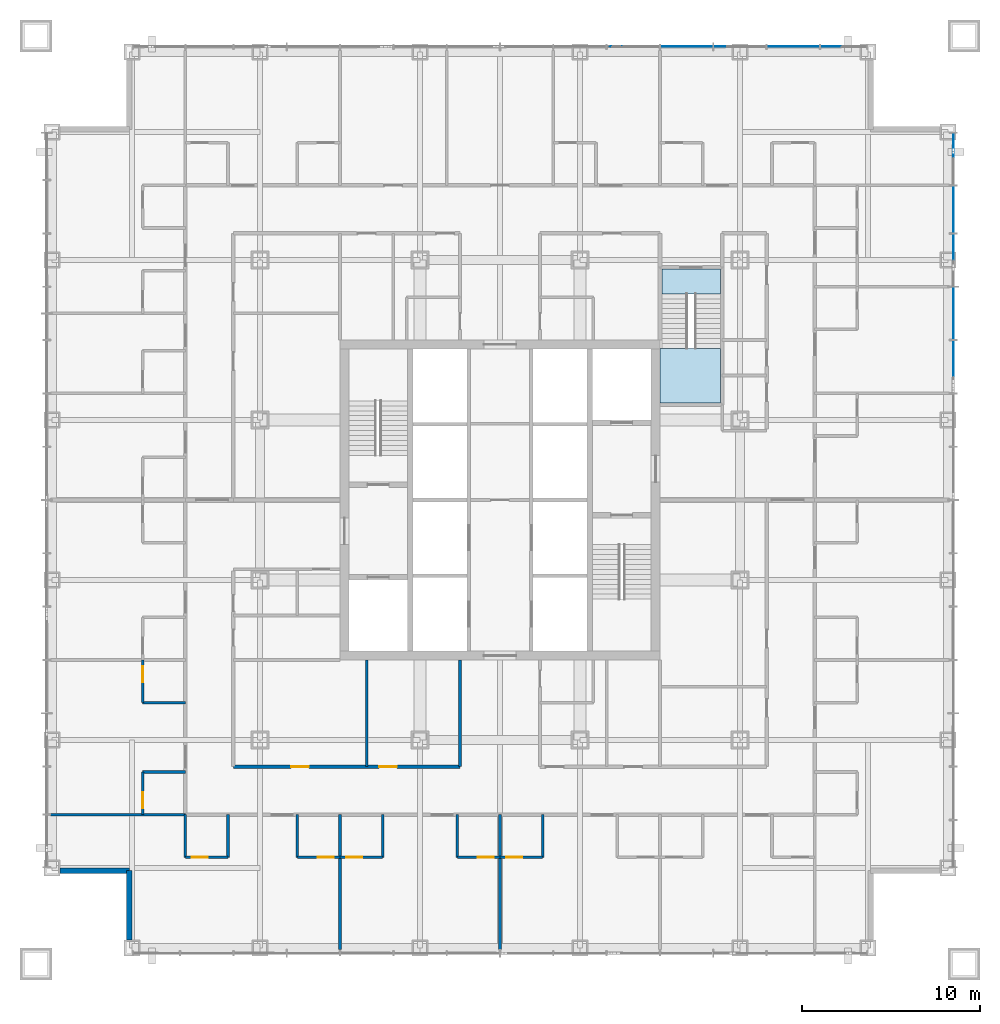
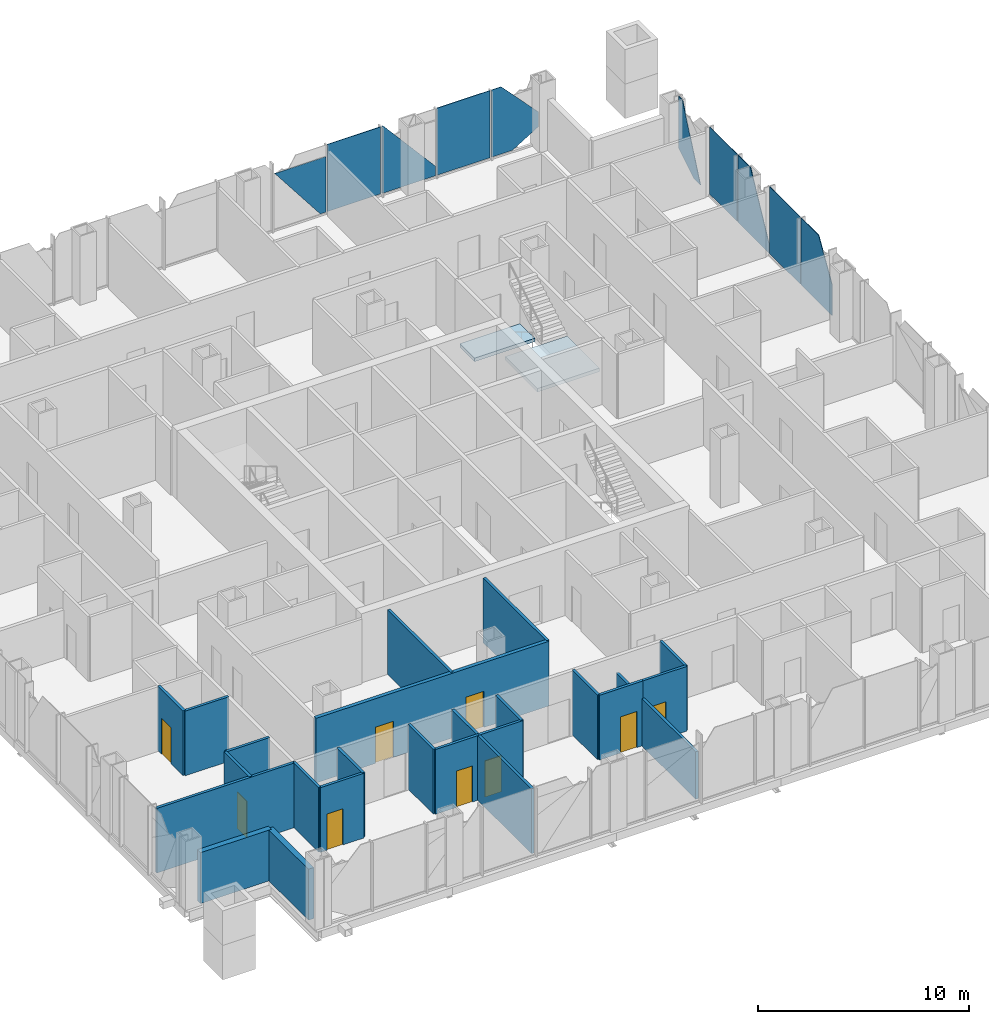
# One storey, part 7 of 23: 23 walls, 10 plates, 9 doors, 2 slabs, 9 openings, 3 elements without a shape of their own.
"""IFC4 building model written with IfcOpenShell, lengths in metres."""

from ifc_helpers import new_model, si_unit, direction, frame, frame_2d, origin, origin_2d, place, context, subcontext, project, spatial, polyline, rectangle, outline, extrude, material, layer, layer_set, type_object, element, fill, aggregate, save


model = new_model("IFC4")

# Units and contexts
model_context = context("Model", 3, precision=1e-05, world=origin(), true_north=direction((0.0, 1.0)))
body_context = subcontext(model_context, "Body", "Model", "MODEL_VIEW")
ifc_project = project(units=[si_unit("LENGTHUNIT", "METRE"), si_unit("AREAUNIT", "SQUARE_METRE"), si_unit("VOLUMEUNIT", "CUBIC_METRE"), si_unit("PLANEANGLEUNIT", "RADIAN"), si_unit("MASSUNIT", "GRAM", prefix="KILO")], contexts=[model_context])

# Site, building, storey
site_placement = place(None, origin())
site = spatial("IfcSite", under=ifc_project, at=site_placement, CompositionType="ELEMENT")
building_placement = place(site_placement, origin())
building = spatial("IfcBuilding", under=site, at=building_placement, Name="Malebo Sky Hospital", CompositionType="ELEMENT")
storey_placement = place(building_placement, frame((0.0, 0.0, 91.0)))
storey = spatial("IfcBuildingStorey", under=building, at=storey_placement, Name="L21", CompositionType="ELEMENT", Elevation=91.0)

# Stair, slabs
ifc_material_1 = material(Name="Concrete C40/50", Category="concrete")
stair_type = type_object("IfcStairType", Name="HALF-TURN STAIR 1400 R167", PredefinedType="HALF_TURN_STAIR", material=ifc_material_1)
stair_placement = place(storey_placement, origin())
stair = element("IfcStair", 1, at=stair_placement, inside=storey, type_object=stair_type, Name="Stair S3 L21 type ST1B", PredefinedType="HALF_TURN_STAIR")
ifc_layer_1 = layer(ifc_material_1, 0.199951171875)
ifc_layer_set_1 = layer_set([ifc_layer_1], Name="STAIR LANDING 200")
slab_type = type_object("IfcSlabType", Name="STAIR LANDING 200", PredefinedType="LANDING", material=ifc_layer_set_1)
slab_1_placement = place(storey_placement, frame((0.0, 0.0, -0.199951171875)))
slab_1 = element("IfcSlab", 2, at=slab_1_placement, type_object=slab_type, Name="S3 landing 1", PredefinedType="LANDING", context=body_context, shape_type="SweptSolid", body=[
    extrude(outline(polyline([(69.10009765625, 73.60009765625), (72.39990234375, 73.60009765625), (72.39990234375, 75.0), (69.10009765625, 75.0), (69.10009765625, 73.60009765625)])), origin(), (0.0, 0.0, 1.0), 0.199951171875),
])
slab_2_placement = place(storey_placement, frame((0.0, 0.0, 1.800048828125)))
slab_2 = element("IfcSlab", 3, at=slab_2_placement, type_object=slab_type, Name="S3 landing 2", PredefinedType="LANDING", context=body_context, shape_type="SweptSolid", body=[
    extrude(outline(polyline([(69.0, 67.449951171875), (72.39990234375, 67.449951171875), (72.39990234375, 70.52001953125), (69.0, 70.52001953125), (69.0, 67.449951171875)])), origin(), (0.0, 0.0, 1.0), 0.199951171875),
])
aggregate(stair, [slab_1, slab_2])

# Curtain wall, plates
ifc_material_2 = material(Name="Anodised aluminium, natural silver", Category="aluminium")
ifc_layer_2 = layer(ifc_material_2, 0.25)
ifc_layer_set_2 = layer_set([ifc_layer_2], Name="WARD CURTAIN WALL NORTH AND SOUTH")
curtain_wall_type_1 = type_object("IfcCurtainWallType", Name="WARD CURTAIN WALL NORTH AND SOUTH", PredefinedType="NOTDEFINED", material=ifc_layer_set_2)
curtain_wall_1_placement = place(storey_placement, origin())
curtain_wall_1 = element("IfcCurtainWall", 4, at=curtain_wall_1_placement, inside=storey, type_object=curtain_wall_type_1, Name="NS curtain wall N", PredefinedType="NOTDEFINED")
ifc_material_3 = material(Name="Clear low-iron double glazing", Category="glass")
ifc_layer_3 = layer(ifc_material_3, 0.031982421875)
ifc_layer_set_3 = layer_set([ifc_layer_3], Name="VISION PANEL CLEAR 32")
plate_type = type_object("IfcPlateType", Name="VISION PANEL CLEAR 32", PredefinedType="CURTAIN_PANEL", material=ifc_layer_set_3)
plate_1_placement = place(storey_placement, frame((67.5615234375, 87.5, 0.10009765625), z_axis=(0.0, 0.0, 1.0), x_axis=(1.0, 0.0, 0.0)))
plate_1 = element("IfcPlate", 5, at=plate_1_placement, type_object=plate_type, Name="Panel 10", PredefinedType="CURTAIN_PANEL", context=body_context, shape_type="SweptSolid", body=[
    extrude(outline(polyline([(1.08935546875, 0.0), (1.40087890625, 0.0), (1.40087890625, 3.212158203125), (-1.40087890625, 3.212158203125), (1.08935546875, 0.0)])), frame((0.0, 0.01611328125, 0.0), z_axis=(0.0, -1.0, 0.0), x_axis=(1.0, 0.0, 0.0)), (0.0, 0.0, 1.0), 0.031982421875),
])
plate_2_placement = place(storey_placement, frame((70.5, 87.5, 0.10009765625), z_axis=(0.0, 0.0, 1.0), x_axis=(1.0, 0.0, 0.0)))
plate_2 = element("IfcPlate", 6, at=plate_2_placement, type_object=plate_type, Name="Panel 11", PredefinedType="CURTAIN_PANEL", context=body_context, shape_type="SweptSolid", body=[
    extrude(rectangle(XDim=2.925048828125, YDim=0.031982421875, at=origin_2d()), origin(), (0.0, 0.0, 1.0), 3.889892578125),
])
plate_3_placement = place(storey_placement, frame((73.5, 87.5, 0.10009765625), z_axis=(0.0, 0.0, 1.0), x_axis=(1.0, 0.0, 0.0)))
plate_3 = element("IfcPlate", 7, at=plate_3_placement, type_object=plate_type, Name="Panel 12", PredefinedType="CURTAIN_PANEL", context=body_context, shape_type="SweptSolid", body=[
    extrude(outline(polyline([(-1.46240234375, 0.0), (1.46240234375, 0.0), (1.46240234375, 0.565185546875), (-1.395263671875, 3.889892578125), (-1.46240234375, 3.889892578125), (-1.46240234375, 0.0)])), frame((0.0, 0.01611328125, 0.0), z_axis=(0.0, -1.0, 0.0), x_axis=(1.0, 0.0, 0.0)), (0.0, 0.0, 1.0), 0.031982421875),
])
plate_4_placement = place(storey_placement, frame((76.5, 87.5, 0.10009765625), z_axis=(0.0, 0.0, 1.0), x_axis=(1.0, 0.0, 0.0)))
plate_4 = element("IfcPlate", 8, at=plate_4_placement, type_object=plate_type, Name="Panel 13", PredefinedType="CURTAIN_PANEL", context=body_context, shape_type="SweptSolid", body=[
    extrude(rectangle(XDim=2.925048828125, YDim=0.031982421875, at=origin_2d()), origin(), (0.0, 0.0, 1.0), 3.889892578125),
])
plate_5_placement = place(storey_placement, frame((79.331298828125, 87.5, 0.10009765625), z_axis=(0.0, 0.0, 1.0), x_axis=(1.0, 0.0, 0.0)))
plate_5 = element("IfcPlate", 9, at=plate_5_placement, type_object=plate_type, Name="Panel 14", PredefinedType="CURTAIN_PANEL", context=body_context, shape_type="SweptSolid", body=[
    extrude(outline(polyline([(-1.293701171875, 0.0), (-0.137451171875, 0.0), (1.293701171875, 0.87744140625), (1.293701171875, 1.716064453125), (-0.758056640625, 3.889892578125), (-1.293701171875, 3.889892578125), (-1.293701171875, 0.0)])), frame((0.0, 0.01611328125, 0.0), z_axis=(0.0, -1.0, 0.0), x_axis=(1.0, 0.0, 0.0)), (0.0, 0.0, 1.0), 0.031982421875),
])
aggregate(curtain_wall_1, [plate_1, plate_2, plate_3, plate_4, plate_5])

ifc_layer_4 = layer(ifc_material_2, 0.25)
ifc_layer_set_4 = layer_set([ifc_layer_4], Name="WARD CURTAIN WALL EAST AND WEST")
curtain_wall_type_2 = type_object("IfcCurtainWallType", Name="WARD CURTAIN WALL EAST AND WEST", PredefinedType="NOTDEFINED", material=ifc_layer_set_4)
curtain_wall_2_placement = place(storey_placement, origin())
curtain_wall_2 = element("IfcCurtainWall", 10, at=curtain_wall_2_placement, inside=storey, type_object=curtain_wall_type_2, Name="EW curtain wall E", PredefinedType="NOTDEFINED")
plate_6_placement = place(storey_placement, frame((85.5, 81.58251953125, 0.10009765625), z_axis=(0.0, 0.0, 1.0), x_axis=(0.0, -1.0, 0.0)))
plate_6 = element("IfcPlate", 11, at=plate_6_placement, type_object=plate_type, Name="Panel 1", PredefinedType="CURTAIN_PANEL", context=body_context, shape_type="SweptSolid", body=[
    extrude(outline(polyline([(0.388671875, 0.0), (1.04248046875, 0.0), (-0.662109375, 3.889892578125), (-1.04248046875, 3.889892578125), (-1.04248046875, 0.87744140625), (0.388671875, 0.0)])), frame((0.0, 0.01611328125, 0.0), z_axis=(0.0, -1.0, 0.0), x_axis=(1.0, 0.0, 0.0)), (0.0, 0.0, 1.0), 0.031982421875),
])
plate_7_placement = place(storey_placement, frame((85.5, 78.35009765625, 0.10009765625), z_axis=(0.0, 0.0, 1.0), x_axis=(0.0, -1.0, 0.0)))
plate_7 = element("IfcPlate", 12, at=plate_7_placement, type_object=plate_type, Name="Panel 2", PredefinedType="CURTAIN_PANEL", context=body_context, shape_type="SweptSolid", body=[
    extrude(rectangle(XDim=2.625, YDim=0.031982421875, at=origin_2d()), origin(), (0.0, 0.0, 1.0), 3.889892578125),
])
plate_8_placement = place(storey_placement, frame((85.5, 75.5, 0.10009765625), z_axis=(0.0, 0.0, 1.0), x_axis=(0.0, -1.0, 0.0)))
plate_8 = element("IfcPlate", 13, at=plate_8_placement, type_object=plate_type, Name="Panel 3", PredefinedType="CURTAIN_PANEL", context=body_context, shape_type="SweptSolid", body=[
    extrude(outline(polyline([(-1.46240234375, 0.0), (1.46240234375, 0.0), (1.46240234375, 0.5625), (-0.27587890625, 3.889892578125), (-1.46240234375, 3.889892578125), (-1.46240234375, 0.0)])), frame((0.0, 0.01611328125, 0.0), z_axis=(0.0, -1.0, 0.0), x_axis=(1.0, 0.0, 0.0)), (0.0, 0.0, 1.0), 0.031982421875),
])
plate_9_placement = place(storey_placement, frame((85.5, 72.5, 0.10009765625), z_axis=(0.0, 0.0, 1.0), x_axis=(0.0, -1.0, 0.0)))
plate_9 = element("IfcPlate", 14, at=plate_9_placement, type_object=plate_type, Name="Panel 4", PredefinedType="CURTAIN_PANEL", context=body_context, shape_type="SweptSolid", body=[
    extrude(rectangle(XDim=2.925048828125, YDim=0.031982421875, at=origin_2d()), origin(), (0.0, 0.0, 1.0), 3.889892578125),
])
plate_10_placement = place(storey_placement, frame((85.5, 69.5, 0.10009765625), z_axis=(0.0, 0.0, 1.0), x_axis=(0.0, -1.0, 0.0)))
plate_10 = element("IfcPlate", 15, at=plate_10_placement, type_object=plate_type, Name="Panel 5", PredefinedType="CURTAIN_PANEL", context=body_context, shape_type="SweptSolid", body=[
    extrude(outline(polyline([(-1.46240234375, 0.0), (1.46240234375, 0.0), (1.46240234375, 1.800048828125), (0.1943359375, 3.889892578125), (-1.46240234375, 3.889892578125), (-1.46240234375, 0.0)])), frame((0.0, 0.01611328125, 0.0), z_axis=(0.0, -1.0, 0.0), x_axis=(1.0, 0.0, 0.0)), (0.0, 0.0, 1.0), 0.031982421875),
])
aggregate(curtain_wall_2, [plate_6, plate_7, plate_8, plate_9, plate_10])

# Wall, openings, doors
ifc_material_4 = material(Name="Gypsum board on steel studs", Category="steel")
ifc_layer_5 = layer(ifc_material_4, 0.199951171875)
ifc_layer_set_5 = layer_set([ifc_layer_5], Name="CORRIDOR WALL 200")
wall_type_1 = type_object("IfcWallType", Name="CORRIDOR WALL 200", PredefinedType="PARTITIONING", material=ifc_layer_set_5)
wall_1_placement = place(storey_placement, frame((57.75, 47.0, 0.0), z_axis=(0.0, 0.0, 1.0), x_axis=(-1.0, 0.0, 0.0)))
wall_1 = element("IfcWall", 16, at=wall_1_placement, inside=storey, type_object=wall_type_1, Name="Corridor Wall 200 SCI2", PredefinedType="PARTITIONING", context=body_context, shape_type="SweptSolid", body=[
    extrude(rectangle(XDim=12.75, YDim=0.199951171875, at=frame_2d((6.375, 0.0))), origin(), (0.0, 0.0, 1.0), 3.75),
])
opening_1_placement = place(wall_1_placement, frame((3.550048828125, 0.0, 0.0)))
opening_1 = element("IfcOpeningElement", 17, at=opening_1_placement, cuts=wall_1, Name="Opening D03", PredefinedType="OPENING", context=body_context, shape_type="SweptSolid", body=[
    extrude(rectangle(XDim=1.0, YDim=2.10009765625, at=frame_2d((0.5, 1.050048828125))), frame((0.0, 0.10986328125, 0.0), z_axis=(0.0, -1.0, 0.0), x_axis=(1.0, 0.0, 0.0)), (0.0, 0.0, 1.0), 0.219970703125),
])
opening_2_placement = place(wall_1_placement, frame((8.5, 0.0, 0.0)))
opening_2 = element("IfcOpeningElement", 18, at=opening_2_placement, cuts=wall_1, Name="Opening D03", PredefinedType="OPENING", context=body_context, shape_type="SweptSolid", body=[
    extrude(rectangle(XDim=1.0, YDim=2.10009765625, at=frame_2d((0.5, 1.050048828125))), frame((0.0, 0.10986328125, 0.0), z_axis=(0.0, -1.0, 0.0), x_axis=(1.0, 0.0, 0.0)), (0.0, 0.0, 1.0), 0.219970703125),
])
ifc_material_5 = material(Name="Hardwood-faced door leaf in steel frame", Category="steel")
door_type_1 = type_object("IfcDoorType", Name="ROOM DOOR 1000", OperationType="SINGLE_SWING_LEFT", PredefinedType="DOOR", material=ifc_material_5)
door_1_placement = place(opening_1_placement, origin())
door_1 = element("IfcDoor", 19, at=door_1_placement, inside=storey, type_object=door_type_1, Name="Hoist store door", OperationType="SINGLE_SWING_RIGHT", OverallHeight=2.10009765625, OverallWidth=1.0, PredefinedType="DOOR", context=body_context, shape_type="SweptSolid", body=[
    extrude(rectangle(XDim=1.0, YDim=2.10009765625, at=frame_2d((0.5, 1.050048828125))), frame((0.0, 0.02490234375, 0.0), z_axis=(0.0, -1.0, 0.0), x_axis=(1.0, 0.0, 0.0)), (0.0, 0.0, 1.0), 0.050048828125),
])
fill(opening_1, door_1)
door_2_placement = place(opening_2_placement, origin())
door_2 = element("IfcDoor", 20, at=door_2_placement, inside=storey, type_object=door_type_1, Name="Relatives' kitchen door", OperationType="SINGLE_SWING_RIGHT", OverallHeight=2.10009765625, OverallWidth=1.0, PredefinedType="DOOR", context=body_context, shape_type="SweptSolid", body=[
    extrude(rectangle(XDim=1.0, YDim=2.10009765625, at=frame_2d((0.5, 1.050048828125))), frame((0.0, 0.02490234375, 0.0), z_axis=(0.0, -1.0, 0.0), x_axis=(1.0, 0.0, 0.0)), (0.0, 0.0, 1.0), 0.050048828125),
])
fill(opening_2, door_2)

# Walls
ifc_material_6 = material(Name="Anodised aluminium rainscreen on steel framing", Category="steel")
ifc_layer_6 = layer(ifc_material_6, 0.300048828125)
ifc_layer_set_6 = layer_set([ifc_layer_6], Name="NOTCH RAINSCREEN WALL 300")
wall_type_2 = type_object("IfcWallType", Name="NOTCH RAINSCREEN WALL 300", PredefinedType="ELEMENTEDWALL", material=ifc_layer_set_6)
for number, where, z_axis, x_axis, name in (
    (21, (39.14990234375, 37.25, 0.0), (0.0, 0.0, 1.0), (0.0, 1.0, 0.0), "Notch rainscreen wall S1 L21"),
    (22, (39.14990234375, 41.14990234375, 0.0), (0.0, 0.0, 1.0), (-1.0, 0.0, 0.0), "Notch rainscreen wall S2 L21"),
):
    element("IfcWall", number, at=place(storey_placement, frame(where, z_axis=z_axis, x_axis=x_axis)), inside=storey, type_object=wall_type_2, Name=name, PredefinedType="ELEMENTEDWALL", context=body_context, shape_type="SweptSolid", body=[
        extrude(rectangle(XDim=3.89990234375, YDim=0.300048828125, at=frame_2d((1.949951171875, 0.0))), origin(), (0.0, 0.0, 1.0), 2.949951171875),
    ])
ifc_layer_7 = layer(ifc_material_4, 0.14990234375)
ifc_layer_set_7 = layer_set([ifc_layer_7], Name="PARTITION 150")
wall_type_3 = type_object("IfcWallType", Name="PARTITION 150", PredefinedType="PARTITIONING", material=ifc_layer_set_7)
wall_2_placement = place(storey_placement, frame((42.300048828125, 44.300048828125, 0.0), z_axis=(0.0, 0.0, 1.0), x_axis=(-1.0, 0.0, 0.0)))
element("IfcWall", 23, at=wall_2_placement, inside=storey, type_object=wall_type_3, Name="Partition 150 WP0", PredefinedType="PARTITIONING", context=body_context, shape_type="SweptSolid", body=[
    extrude(rectangle(XDim=7.574951171875, YDim=0.14990234375, at=frame_2d((3.78759765625, 0.0))), origin(), (0.0, 0.0, 1.0), 3.75),
])

# Wall, opening, door
wall_3_placement = place(storey_placement, frame((39.89990234375, 44.300048828125, 0.0), z_axis=(0.0, 0.0, 1.0), x_axis=(0.0, 1.0, 0.0)))
wall_3 = element("IfcWall", 24, at=wall_3_placement, inside=storey, type_object=wall_type_3, Name="Partition 150 WE0F", PredefinedType="PARTITIONING", context=body_context, shape_type="SweptSolid", body=[
    extrude(rectangle(XDim=2.39990234375, YDim=0.14990234375, at=frame_2d((1.199951171875, 0.0))), origin(), (0.0, 0.0, 1.0), 3.75),
])
opening_3_placement = place(wall_3_placement, frame((0.35009765625, 0.0, 0.0)))
opening_3 = element("IfcOpeningElement", 25, at=opening_3_placement, cuts=wall_3, Name="Opening D02", PredefinedType="OPENING", context=body_context, shape_type="SweptSolid", body=[
    extrude(rectangle(XDim=0.89990234375, YDim=2.10009765625, at=frame_2d((0.449951171875, 1.050048828125))), frame((0.0, 0.0849609375, 0.0), z_axis=(0.0, -1.0, 0.0), x_axis=(1.0, 0.0, 0.0)), (0.0, 0.0, 1.0), 0.169921875),
])
door_type_2 = type_object("IfcDoorType", Name="EN-SUITE DOOR 900", OperationType="SINGLE_SWING_LEFT", PredefinedType="DOOR", material=ifc_material_5)
door_3_placement = place(opening_3_placement, origin())
door_3 = element("IfcDoor", 26, at=door_3_placement, inside=storey, type_object=door_type_2, Name="En-suite door", OperationType="SINGLE_SWING_LEFT", OverallHeight=2.10009765625, OverallWidth=0.89990234375, PredefinedType="DOOR", context=body_context, shape_type="SweptSolid", body=[
    extrude(rectangle(XDim=0.89990234375, YDim=2.10009765625, at=frame_2d((0.449951171875, 1.050048828125))), frame((0.0, 0.02490234375, 0.0), z_axis=(0.0, -1.0, 0.0), x_axis=(1.0, 0.0, 0.0)), (0.0, 0.0, 1.0), 0.050048828125),
])
fill(opening_3, door_3)

# Wall
wall_4_placement = place(storey_placement, frame((42.300048828125, 46.699951171875, 0.0), z_axis=(0.0, 0.0, 1.0), x_axis=(-1.0, 0.0, 0.0)))
element("IfcWall", 27, at=wall_4_placement, inside=storey, type_object=wall_type_3, Name="Partition 150 WE0S", PredefinedType="PARTITIONING", context=body_context, shape_type="SweptSolid", body=[
    extrude(rectangle(XDim=2.400146484375, YDim=0.14990234375, at=frame_2d((1.2001953125, 0.0))), origin(), (0.0, 0.0, 1.0), 3.75),
])

# Wall, opening, door
wall_5_placement = place(storey_placement, frame((39.89990234375, 50.60009765625, 0.0), z_axis=(0.0, 0.0, 1.0), x_axis=(0.0, 1.0, 0.0)))
wall_5 = element("IfcWall", 28, at=wall_5_placement, inside=storey, type_object=wall_type_3, Name="Partition 150 WG0F", PredefinedType="PARTITIONING", context=body_context, shape_type="SweptSolid", body=[
    extrude(rectangle(XDim=2.39990234375, YDim=0.14990234375, at=frame_2d((1.199951171875, 0.0))), origin(), (0.0, 0.0, 1.0), 3.75),
])
opening_4_placement = place(wall_5_placement, frame((1.14990234375, 0.0, 0.0)))
opening_4 = element("IfcOpeningElement", 29, at=opening_4_placement, cuts=wall_5, Name="Opening D02", PredefinedType="OPENING", context=body_context, shape_type="SweptSolid", body=[
    extrude(rectangle(XDim=0.89990234375, YDim=2.10009765625, at=frame_2d((0.449951171875, 1.050048828125))), frame((0.0, 0.0849609375, 0.0), z_axis=(0.0, -1.0, 0.0), x_axis=(1.0, 0.0, 0.0)), (0.0, 0.0, 1.0), 0.169921875),
])
door_4_placement = place(opening_4_placement, origin())
door_4 = element("IfcDoor", 30, at=door_4_placement, inside=storey, type_object=door_type_2, Name="En-suite door", OperationType="SINGLE_SWING_RIGHT", OverallHeight=2.10009765625, OverallWidth=0.89990234375, PredefinedType="DOOR", context=body_context, shape_type="SweptSolid", body=[
    extrude(rectangle(XDim=0.89990234375, YDim=2.10009765625, at=frame_2d((0.449951171875, 1.050048828125))), frame((0.0, 0.02490234375, 0.0), z_axis=(0.0, -1.0, 0.0), x_axis=(1.0, 0.0, 0.0)), (0.0, 0.0, 1.0), 0.050048828125),
])
fill(opening_4, door_4)

# Walls
wall_6_placement = place(storey_placement, frame((42.300048828125, 50.60009765625, 0.0), z_axis=(0.0, 0.0, 1.0), x_axis=(-1.0, 0.0, 0.0)))
element("IfcWall", 31, at=wall_6_placement, inside=storey, type_object=wall_type_3, Name="Partition 150 WG0S", PredefinedType="PARTITIONING", context=body_context, shape_type="SweptSolid", body=[
    extrude(rectangle(XDim=2.400146484375, YDim=0.14990234375, at=frame_2d((1.2001953125, 0.0))), origin(), (0.0, 0.0, 1.0), 3.75),
])
wall_7_placement = place(storey_placement, frame((60.0, 44.300048828125, 0.0), z_axis=(0.0, 0.0, 1.0), x_axis=(0.0, -1.0, 0.0)))
element("IfcWall", 32, at=wall_7_placement, inside=storey, type_object=wall_type_3, Name="Partition 150 SP+0.0", PredefinedType="PARTITIONING", context=body_context, shape_type="SweptSolid", body=[
    extrude(rectangle(XDim=7.574951171875, YDim=0.14990234375, at=frame_2d((3.78759765625, 0.0))), origin(), (0.0, 0.0, 1.0), 2.75),
])
wall_8_placement = place(storey_placement, frame((51.0, 44.300048828125, 0.0), z_axis=(0.0, 0.0, 1.0), x_axis=(0.0, -1.0, 0.0)))
element("IfcWall", 33, at=wall_8_placement, inside=storey, type_object=wall_type_3, Name="Partition 150 SP+9.0", PredefinedType="PARTITIONING", context=body_context, shape_type="SweptSolid", body=[
    extrude(rectangle(XDim=7.574951171875, YDim=0.14990234375, at=frame_2d((3.78759765625, 0.0))), origin(), (0.0, 0.0, 1.0), 3.75),
])

# Wall, opening, door
wall_9_placement = place(storey_placement, frame((62.39990234375, 41.89990234375, 0.0), z_axis=(0.0, 0.0, 1.0), x_axis=(-1.0, 0.0, 0.0)))
wall_9 = element("IfcWall", 34, at=wall_9_placement, inside=storey, type_object=wall_type_3, Name="Partition 150 SG1F", PredefinedType="PARTITIONING", context=body_context, shape_type="SweptSolid", body=[
    extrude(rectangle(XDim=2.39990234375, YDim=0.14990234375, at=frame_2d((1.199951171875, 0.0))), origin(), (0.0, 0.0, 1.0), 3.75),
])
opening_5_placement = place(wall_9_placement, frame((1.14990234375, 0.0, 0.0)))
opening_5 = element("IfcOpeningElement", 35, at=opening_5_placement, cuts=wall_9, Name="Opening D02", PredefinedType="OPENING", context=body_context, shape_type="SweptSolid", body=[
    extrude(rectangle(XDim=0.89990234375, YDim=2.10009765625, at=frame_2d((0.449951171875, 1.050048828125))), frame((0.0, 0.0849609375, 0.0), z_axis=(0.0, -1.0, 0.0), x_axis=(1.0, 0.0, 0.0)), (0.0, 0.0, 1.0), 0.169921875),
])
door_5_placement = place(opening_5_placement, origin())
door_5 = element("IfcDoor", 36, at=door_5_placement, inside=storey, type_object=door_type_2, Name="En-suite door", OperationType="SINGLE_SWING_RIGHT", OverallHeight=2.10009765625, OverallWidth=0.89990234375, PredefinedType="DOOR", context=body_context, shape_type="SweptSolid", body=[
    extrude(rectangle(XDim=0.89990234375, YDim=2.10009765625, at=frame_2d((0.449951171875, 1.050048828125))), frame((0.0, 0.02490234375, 0.0), z_axis=(0.0, -1.0, 0.0), x_axis=(1.0, 0.0, 0.0)), (0.0, 0.0, 1.0), 0.050048828125),
])
fill(opening_5, door_5)

# Wall
wall_10_placement = place(storey_placement, frame((62.39990234375, 44.300048828125, 0.0), z_axis=(0.0, 0.0, 1.0), x_axis=(0.0, -1.0, 0.0)))
element("IfcWall", 37, at=wall_10_placement, inside=storey, type_object=wall_type_3, Name="Partition 150 SG1S", PredefinedType="PARTITIONING", context=body_context, shape_type="SweptSolid", body=[
    extrude(rectangle(XDim=2.400146484375, YDim=0.14990234375, at=frame_2d((1.2001953125, 0.0))), origin(), (0.0, 0.0, 1.0), 3.75),
])

# Wall, opening, door
wall_11_placement = place(storey_placement, frame((60.0, 41.89990234375, 0.0), z_axis=(0.0, 0.0, 1.0), x_axis=(-1.0, 0.0, 0.0)))
wall_11 = element("IfcWall", 38, at=wall_11_placement, inside=storey, type_object=wall_type_3, Name="Partition 150 SE2F", PredefinedType="PARTITIONING", context=body_context, shape_type="SweptSolid", body=[
    extrude(rectangle(XDim=2.39990234375, YDim=0.14990234375, at=frame_2d((1.199951171875, 0.0))), origin(), (0.0, 0.0, 1.0), 3.75),
])
opening_6_placement = place(wall_11_placement, frame((0.35009765625, 0.0, 0.0)))
opening_6 = element("IfcOpeningElement", 39, at=opening_6_placement, cuts=wall_11, Name="Opening D02", PredefinedType="OPENING", context=body_context, shape_type="SweptSolid", body=[
    extrude(rectangle(XDim=0.89990234375, YDim=2.10009765625, at=frame_2d((0.449951171875, 1.050048828125))), frame((0.0, 0.0849609375, 0.0), z_axis=(0.0, -1.0, 0.0), x_axis=(1.0, 0.0, 0.0)), (0.0, 0.0, 1.0), 0.169921875),
])
door_6_placement = place(opening_6_placement, origin())
door_6 = element("IfcDoor", 40, at=door_6_placement, inside=storey, type_object=door_type_2, Name="En-suite door", OperationType="SINGLE_SWING_LEFT", OverallHeight=2.10009765625, OverallWidth=0.89990234375, PredefinedType="DOOR", context=body_context, shape_type="SweptSolid", body=[
    extrude(rectangle(XDim=0.89990234375, YDim=2.10009765625, at=frame_2d((0.449951171875, 1.050048828125))), frame((0.0, 0.02490234375, 0.0), z_axis=(0.0, -1.0, 0.0), x_axis=(1.0, 0.0, 0.0)), (0.0, 0.0, 1.0), 0.050048828125),
])
fill(opening_6, door_6)

# Wall
wall_12_placement = place(storey_placement, frame((57.60009765625, 44.300048828125, 0.0), z_axis=(0.0, 0.0, 1.0), x_axis=(0.0, -1.0, 0.0)))
element("IfcWall", 41, at=wall_12_placement, inside=storey, type_object=wall_type_3, Name="Partition 150 SE2S", PredefinedType="PARTITIONING", context=body_context, shape_type="SweptSolid", body=[
    extrude(rectangle(XDim=2.400146484375, YDim=0.14990234375, at=frame_2d((1.2001953125, 0.0))), origin(), (0.0, 0.0, 1.0), 3.75),
])

# Wall, opening, door
wall_13_placement = place(storey_placement, frame((53.39990234375, 41.89990234375, 0.0), z_axis=(0.0, 0.0, 1.0), x_axis=(-1.0, 0.0, 0.0)))
wall_13 = element("IfcWall", 42, at=wall_13_placement, inside=storey, type_object=wall_type_3, Name="Partition 150 SG2F", PredefinedType="PARTITIONING", context=body_context, shape_type="SweptSolid", body=[
    extrude(rectangle(XDim=2.39990234375, YDim=0.14990234375, at=frame_2d((1.199951171875, 0.0))), origin(), (0.0, 0.0, 1.0), 3.75),
])
opening_7_placement = place(wall_13_placement, frame((1.14990234375, 0.0, 0.0)))
opening_7 = element("IfcOpeningElement", 43, at=opening_7_placement, cuts=wall_13, Name="Opening D02", PredefinedType="OPENING", context=body_context, shape_type="SweptSolid", body=[
    extrude(rectangle(XDim=0.89990234375, YDim=2.10009765625, at=frame_2d((0.449951171875, 1.050048828125))), frame((0.0, 0.0849609375, 0.0), z_axis=(0.0, -1.0, 0.0), x_axis=(1.0, 0.0, 0.0)), (0.0, 0.0, 1.0), 0.169921875),
])
door_7_placement = place(opening_7_placement, origin())
door_7 = element("IfcDoor", 44, at=door_7_placement, inside=storey, type_object=door_type_2, Name="En-suite door", OperationType="SINGLE_SWING_RIGHT", OverallHeight=2.10009765625, OverallWidth=0.89990234375, PredefinedType="DOOR", context=body_context, shape_type="SweptSolid", body=[
    extrude(rectangle(XDim=0.89990234375, YDim=2.10009765625, at=frame_2d((0.449951171875, 1.050048828125))), frame((0.0, 0.02490234375, 0.0), z_axis=(0.0, -1.0, 0.0), x_axis=(1.0, 0.0, 0.0)), (0.0, 0.0, 1.0), 0.050048828125),
])
fill(opening_7, door_7)

# Wall
wall_14_placement = place(storey_placement, frame((53.39990234375, 44.300048828125, 0.0), z_axis=(0.0, 0.0, 1.0), x_axis=(0.0, -1.0, 0.0)))
element("IfcWall", 45, at=wall_14_placement, inside=storey, type_object=wall_type_3, Name="Partition 150 SG2S", PredefinedType="PARTITIONING", context=body_context, shape_type="SweptSolid", body=[
    extrude(rectangle(XDim=2.400146484375, YDim=0.14990234375, at=frame_2d((1.2001953125, 0.0))), origin(), (0.0, 0.0, 1.0), 3.75),
])

# Wall, opening, door
wall_15_placement = place(storey_placement, frame((51.0, 41.89990234375, 0.0), z_axis=(0.0, 0.0, 1.0), x_axis=(-1.0, 0.0, 0.0)))
wall_15 = element("IfcWall", 46, at=wall_15_placement, inside=storey, type_object=wall_type_3, Name="Partition 150 SE3F", PredefinedType="PARTITIONING", context=body_context, shape_type="SweptSolid", body=[
    extrude(rectangle(XDim=2.39990234375, YDim=0.14990234375, at=frame_2d((1.199951171875, 0.0))), origin(), (0.0, 0.0, 1.0), 3.75),
])
opening_8_placement = place(wall_15_placement, frame((0.35009765625, 0.0, 0.0)))
opening_8 = element("IfcOpeningElement", 47, at=opening_8_placement, cuts=wall_15, Name="Opening D02", PredefinedType="OPENING", context=body_context, shape_type="SweptSolid", body=[
    extrude(rectangle(XDim=0.89990234375, YDim=2.10009765625, at=frame_2d((0.449951171875, 1.050048828125))), frame((0.0, 0.0849609375, 0.0), z_axis=(0.0, -1.0, 0.0), x_axis=(1.0, 0.0, 0.0)), (0.0, 0.0, 1.0), 0.169921875),
])
door_8_placement = place(opening_8_placement, origin())
door_8 = element("IfcDoor", 48, at=door_8_placement, inside=storey, type_object=door_type_2, Name="En-suite door", OperationType="SINGLE_SWING_LEFT", OverallHeight=2.10009765625, OverallWidth=0.89990234375, PredefinedType="DOOR", context=body_context, shape_type="SweptSolid", body=[
    extrude(rectangle(XDim=0.89990234375, YDim=2.10009765625, at=frame_2d((0.449951171875, 1.050048828125))), frame((0.0, 0.02490234375, 0.0), z_axis=(0.0, -1.0, 0.0), x_axis=(1.0, 0.0, 0.0)), (0.0, 0.0, 1.0), 0.050048828125),
])
fill(opening_8, door_8)

# Wall
wall_16_placement = place(storey_placement, frame((48.60009765625, 44.300048828125, 0.0), z_axis=(0.0, 0.0, 1.0), x_axis=(0.0, -1.0, 0.0)))
element("IfcWall", 49, at=wall_16_placement, inside=storey, type_object=wall_type_3, Name="Partition 150 SE3S", PredefinedType="PARTITIONING", context=body_context, shape_type="SweptSolid", body=[
    extrude(rectangle(XDim=2.400146484375, YDim=0.14990234375, at=frame_2d((1.2001953125, 0.0))), origin(), (0.0, 0.0, 1.0), 3.75),
])

# Wall, opening, door
wall_17_placement = place(storey_placement, frame((44.699951171875, 41.89990234375, 0.0), z_axis=(0.0, 0.0, 1.0), x_axis=(-1.0, 0.0, 0.0)))
wall_17 = element("IfcWall", 50, at=wall_17_placement, inside=storey, type_object=wall_type_3, Name="Partition 150 SG3F", PredefinedType="PARTITIONING", context=body_context, shape_type="SweptSolid", body=[
    extrude(rectangle(XDim=2.39990234375, YDim=0.14990234375, at=frame_2d((1.199951171875, 0.0))), origin(), (0.0, 0.0, 1.0), 3.75),
])
opening_9_placement = place(wall_17_placement, frame((1.14990234375, 0.0, 0.0)))
opening_9 = element("IfcOpeningElement", 51, at=opening_9_placement, cuts=wall_17, Name="Opening D02", PredefinedType="OPENING", context=body_context, shape_type="SweptSolid", body=[
    extrude(rectangle(XDim=0.89990234375, YDim=2.10009765625, at=frame_2d((0.449951171875, 1.050048828125))), frame((0.0, 0.0849609375, 0.0), z_axis=(0.0, -1.0, 0.0), x_axis=(1.0, 0.0, 0.0)), (0.0, 0.0, 1.0), 0.169921875),
])
door_9_placement = place(opening_9_placement, origin())
door_9 = element("IfcDoor", 52, at=door_9_placement, inside=storey, type_object=door_type_2, Name="En-suite door", OperationType="SINGLE_SWING_RIGHT", OverallHeight=2.10009765625, OverallWidth=0.89990234375, PredefinedType="DOOR", context=body_context, shape_type="SweptSolid", body=[
    extrude(rectangle(XDim=0.89990234375, YDim=2.10009765625, at=frame_2d((0.449951171875, 1.050048828125))), frame((0.0, 0.02490234375, 0.0), z_axis=(0.0, -1.0, 0.0), x_axis=(1.0, 0.0, 0.0)), (0.0, 0.0, 1.0), 0.050048828125),
])
fill(opening_9, door_9)

# Walls
for number, where, z_axis, x_axis, name in (
    (53, (44.699951171875, 44.300048828125, 0.0), (0.0, 0.0, 1.0), (0.0, -1.0, 0.0), "Partition 150 SG3S"),
    (54, (42.300048828125, 44.300048828125, 0.0), (0.0, 0.0, 1.0), (0.0, -1.0, 0.0), "Partition 150 SEZ"),
):
    element("IfcWall", number, at=place(storey_placement, frame(where, z_axis=z_axis, x_axis=x_axis)), inside=storey, type_object=wall_type_3, Name=name, PredefinedType="PARTITIONING", context=body_context, shape_type="SweptSolid", body=[
        extrude(rectangle(XDim=2.400146484375, YDim=0.14990234375, at=frame_2d((1.2001953125, 0.0))), origin(), (0.0, 0.0, 1.0), 3.75),
    ])
for number, where, z_axis, x_axis, name in (
    (55, (57.75, 53.0, 0.0), (0.0, 0.0, 1.0), (0.0, -1.0, 0.0), "Partition 150 SSPB"),
    (56, (52.5, 53.0, 0.0), (0.0, 0.0, 1.0), (0.0, -1.0, 0.0), "Partition 150 SSP+7.5"),
):
    element("IfcWall", number, at=place(storey_placement, frame(where, z_axis=z_axis, x_axis=x_axis)), inside=storey, type_object=wall_type_3, Name=name, PredefinedType="PARTITIONING", context=body_context, shape_type="SweptSolid", body=[
        extrude(rectangle(XDim=6.0, YDim=0.14990234375, at=frame_2d((3.0, 0.0))), origin(), (0.0, 0.0, 1.0), 3.75),
    ])

save(model, "model.ifc")
